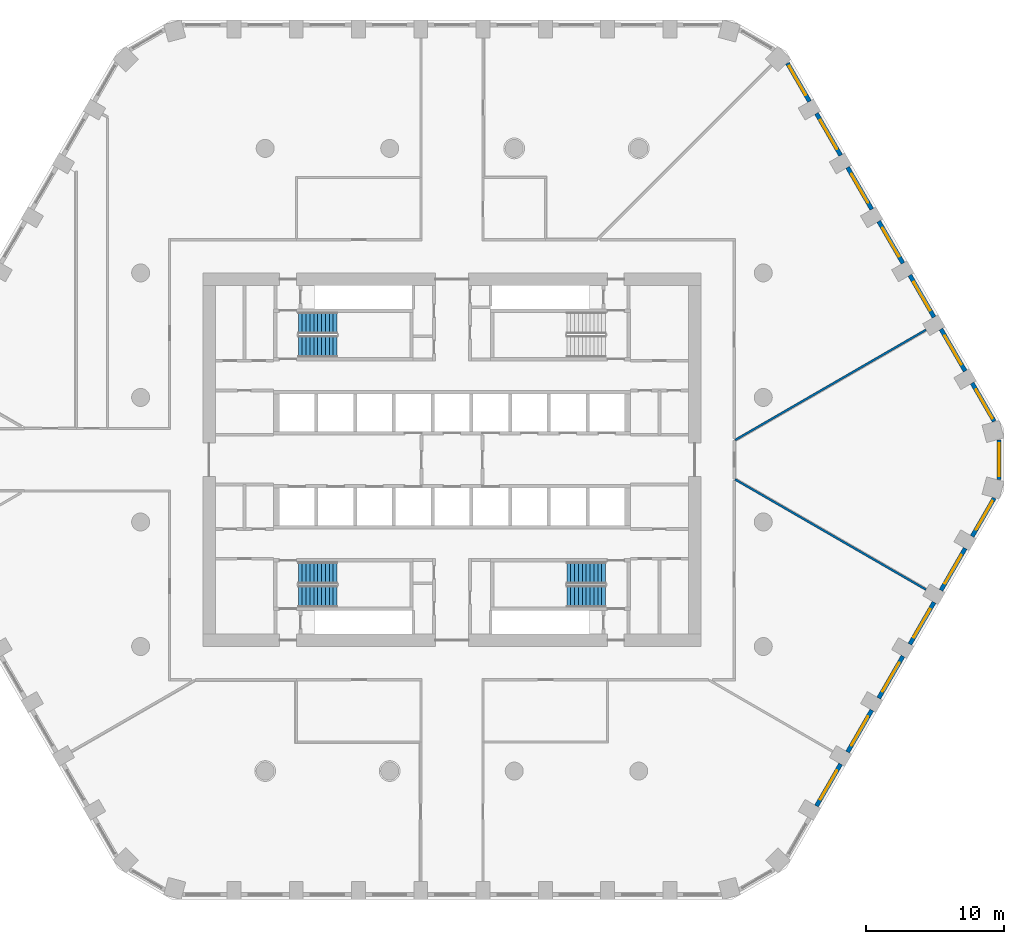
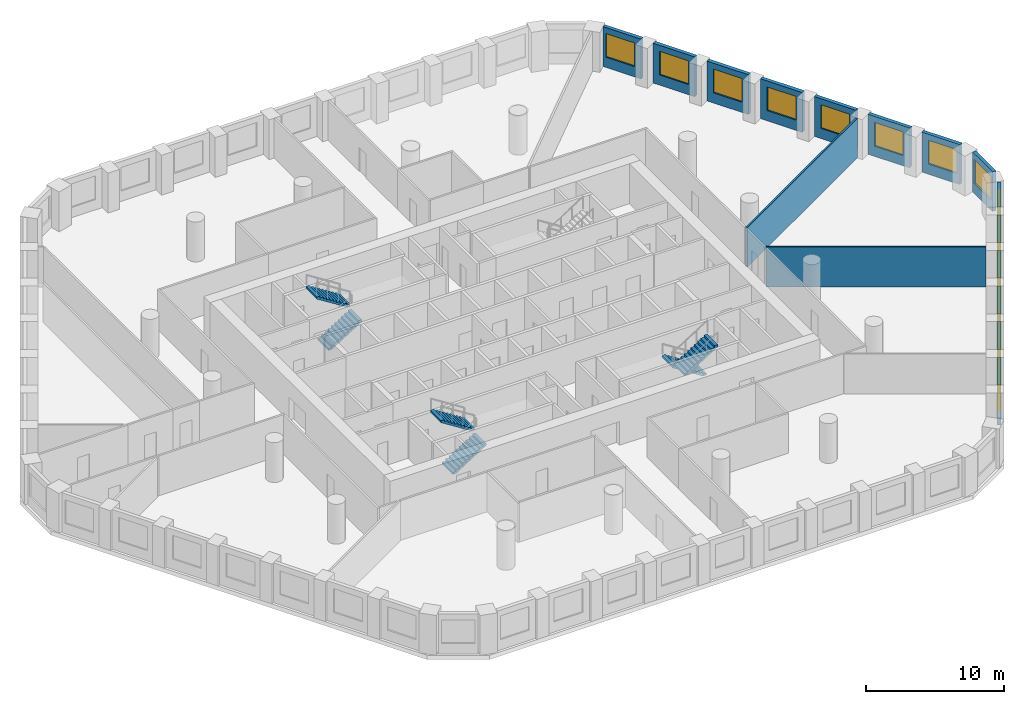
# One storey, part 8 of 14: 16 walls, 14 windows, 6 stair flights, 14 openings, 3 elements without a shape of their own.
"""IFC4 building model written with IfcOpenShell, lengths in metres."""

from ifc_helpers import new_model, si_unit, direction, frame, frame_2d, origin, place, context, subcontext, project, spatial, polyline, rectangle, outline, extrude, material, layer, layer_set, type_object, element, fill, aggregate, save


model = new_model("IFC4")

# Units and contexts
model_context = context("Model", 3, precision=1e-05, world=origin(), true_north=direction((0.0, 1.0)))
body_context = subcontext(model_context, "Body", "Model", "MODEL_VIEW")
ifc_project = project(units=[si_unit("LENGTHUNIT", "METRE"), si_unit("AREAUNIT", "SQUARE_METRE"), si_unit("VOLUMEUNIT", "CUBIC_METRE"), si_unit("PLANEANGLEUNIT", "RADIAN"), si_unit("MASSUNIT", "GRAM", prefix="KILO")], contexts=[model_context])

# Site, building, storey
site_placement = place(None, origin())
site = spatial("IfcSite", under=ifc_project, at=site_placement, CompositionType="ELEMENT")
building_placement = place(site_placement, origin())
building = spatial("IfcBuilding", under=site, at=building_placement, Name="Dhurran Vertical Campus", CompositionType="ELEMENT")
storey_placement = place(building_placement, frame((0.0, 0.0, 93.0)))
storey = spatial("IfcBuildingStorey", under=building, at=storey_placement, Name="L22", CompositionType="ELEMENT", Elevation=93.0)

# Wall, opening, window
ifc_material_1 = material(Name="Precast concrete C50/60", Category="concrete")
ifc_layer_1 = layer(ifc_material_1, 0.300048828125)
ifc_layer_set_1 = layer_set([ifc_layer_1], Name="Precast concrete C50/60")
wall_type_1 = type_object("IfcWallType", Name="Precast spandrel wall 300", PredefinedType="SOLIDWALL", material=ifc_layer_set_1)
wall_1_placement = place(storey_placement, frame((26.34423828125, -25.024169921875, 0.0), z_axis=(0.0, 0.0, 1.0), x_axis=(0.499996256241, 0.866027565234, 0.0)))
wall_1 = element("IfcWall", 1, at=wall_1_placement, inside=storey, type_object=wall_type_1, Name="EW1 L22.11", PredefinedType="SOLIDWALL", context=body_context, shape_type="SweptSolid", body=[
    extrude(rectangle(XDim=3.4990234375, YDim=0.300048828125, at=frame_2d((1.74951171875, 0.0))), origin(), (0.0, 0.0, 1.0), 3.52490234375),
])
opening_1_placement = place(wall_1_placement, frame((0.549560546875, 0.0, 0.89990234375)))
opening_1 = element("IfcOpeningElement", 2, at=opening_1_placement, cuts=wall_1, Name="Opening WT1", PredefinedType="OPENING", context=body_context, shape_type="SweptSolid", body=[
    extrude(rectangle(XDim=2.39990234375, YDim=2.10009765625, at=frame_2d((1.199951171875, 1.050048828125))), frame((0.0, 0.159912109375, 0.0), z_axis=(0.0, -1.0, 0.0), x_axis=(1.0, 0.0, 0.0)), (0.0, 0.0, 1.0), 0.320068359375),
])
ifc_material_2 = material(Name="Aluminium frame with solar-control glass", Category="aluminium")
window_type = type_object("IfcWindowType", Name="Punched window 2400 x 2100", PartitioningType="SINGLE_PANEL", PredefinedType="WINDOW", material=ifc_material_2)
window_1_placement = place(opening_1_placement, origin())
window_1 = element("IfcWindow", 3, at=window_1_placement, inside=storey, type_object=window_type, Name="WT1 L22.11", OverallHeight=2.10009765625, OverallWidth=2.39990234375, PartitioningType="SINGLE_PANEL", PredefinedType="WINDOW", context=body_context, shape_type="SweptSolid", body=[
    extrude(rectangle(XDim=2.39990234375, YDim=2.10009765625, at=frame_2d((1.199951171875, 1.050048828125))), frame((0.0, 0.030029296875, 0.0), z_axis=(0.0, -1.0, 0.0), x_axis=(1.0, 0.0, 0.0)), (0.0, 0.0, 1.0), 0.06005859375),
])
fill(opening_1, window_1)

wall_2_placement = place(storey_placement, frame((28.59423828125, -21.127197265625, 0.0), z_axis=(0.0, 0.0, 1.0), x_axis=(0.499996256241, 0.866027565234, 0.0)))
wall_2 = element("IfcWall", 4, at=wall_2_placement, inside=storey, type_object=wall_type_1, Name="EW1 L22.12", PredefinedType="SOLIDWALL", context=body_context, shape_type="SweptSolid", body=[
    extrude(rectangle(XDim=3.4990234375, YDim=0.300048828125, at=frame_2d((1.74951171875, 0.0))), origin(), (0.0, 0.0, 1.0), 3.52490234375),
])
opening_2_placement = place(wall_2_placement, frame((0.549560546875, 0.0, 0.89990234375)))
opening_2 = element("IfcOpeningElement", 5, at=opening_2_placement, cuts=wall_2, Name="Opening WT1", PredefinedType="OPENING", context=body_context, shape_type="SweptSolid", body=[
    extrude(rectangle(XDim=2.39990234375, YDim=2.10009765625, at=frame_2d((1.199951171875, 1.050048828125))), frame((0.0, 0.159912109375, 0.0), z_axis=(0.0, -1.0, 0.0), x_axis=(1.0, 0.0, 0.0)), (0.0, 0.0, 1.0), 0.320068359375),
])
window_2_placement = place(opening_2_placement, origin())
window_2 = element("IfcWindow", 6, at=window_2_placement, inside=storey, type_object=window_type, Name="WT1 L22.12", OverallHeight=2.10009765625, OverallWidth=2.39990234375, PartitioningType="SINGLE_PANEL", PredefinedType="WINDOW", context=body_context, shape_type="SweptSolid", body=[
    extrude(rectangle(XDim=2.39990234375, YDim=2.10009765625, at=frame_2d((1.199951171875, 1.050048828125))), frame((0.0, 0.030029296875, 0.0), z_axis=(0.0, -1.0, 0.0), x_axis=(1.0, 0.0, 0.0)), (0.0, 0.0, 1.0), 0.06005859375),
])
fill(opening_2, window_2)

wall_3_placement = place(storey_placement, frame((30.84423828125, -17.22998046875, 0.0), z_axis=(0.0, 0.0, 1.0), x_axis=(0.499996256241, 0.866027565234, 0.0)))
wall_3 = element("IfcWall", 7, at=wall_3_placement, inside=storey, type_object=wall_type_1, Name="EW1 L22.13", PredefinedType="SOLIDWALL", context=body_context, shape_type="SweptSolid", body=[
    extrude(rectangle(XDim=3.4990234375, YDim=0.300048828125, at=frame_2d((1.74951171875, 0.0))), origin(), (0.0, 0.0, 1.0), 3.52490234375),
])
opening_3_placement = place(wall_3_placement, frame((0.549560546875, 0.0, 0.89990234375)))
opening_3 = element("IfcOpeningElement", 8, at=opening_3_placement, cuts=wall_3, Name="Opening WT1", PredefinedType="OPENING", context=body_context, shape_type="SweptSolid", body=[
    extrude(rectangle(XDim=2.39990234375, YDim=2.10009765625, at=frame_2d((1.199951171875, 1.050048828125))), frame((0.0, 0.159912109375, 0.0), z_axis=(0.0, -1.0, 0.0), x_axis=(1.0, 0.0, 0.0)), (0.0, 0.0, 1.0), 0.320068359375),
])
window_3_placement = place(opening_3_placement, origin())
window_3 = element("IfcWindow", 9, at=window_3_placement, inside=storey, type_object=window_type, Name="WT1 L22.13", OverallHeight=2.10009765625, OverallWidth=2.39990234375, PartitioningType="SINGLE_PANEL", PredefinedType="WINDOW", context=body_context, shape_type="SweptSolid", body=[
    extrude(rectangle(XDim=2.39990234375, YDim=2.10009765625, at=frame_2d((1.199951171875, 1.050048828125))), frame((0.0, 0.030029296875, 0.0), z_axis=(0.0, -1.0, 0.0), x_axis=(1.0, 0.0, 0.0)), (0.0, 0.0, 1.0), 0.06005859375),
])
fill(opening_3, window_3)

wall_4_placement = place(storey_placement, frame((33.09423828125, -13.3330078125, 0.0), z_axis=(0.0, 0.0, 1.0), x_axis=(0.499996256241, 0.866027565234, 0.0)))
wall_4 = element("IfcWall", 10, at=wall_4_placement, inside=storey, type_object=wall_type_1, Name="EW1 L22.14", PredefinedType="SOLIDWALL", context=body_context, shape_type="SweptSolid", body=[
    extrude(rectangle(XDim=3.4990234375, YDim=0.300048828125, at=frame_2d((1.74951171875, 0.0))), origin(), (0.0, 0.0, 1.0), 3.52490234375),
])
opening_4_placement = place(wall_4_placement, frame((0.549560546875, 0.0, 0.89990234375)))
opening_4 = element("IfcOpeningElement", 11, at=opening_4_placement, cuts=wall_4, Name="Opening WT1", PredefinedType="OPENING", context=body_context, shape_type="SweptSolid", body=[
    extrude(rectangle(XDim=2.39990234375, YDim=2.10009765625, at=frame_2d((1.199951171875, 1.050048828125))), frame((0.0, 0.159912109375, 0.0), z_axis=(0.0, -1.0, 0.0), x_axis=(1.0, 0.0, 0.0)), (0.0, 0.0, 1.0), 0.320068359375),
])
window_4_placement = place(opening_4_placement, origin())
window_4 = element("IfcWindow", 12, at=window_4_placement, inside=storey, type_object=window_type, Name="WT1 L22.14", OverallHeight=2.10009765625, OverallWidth=2.39990234375, PartitioningType="SINGLE_PANEL", PredefinedType="WINDOW", context=body_context, shape_type="SweptSolid", body=[
    extrude(rectangle(XDim=2.39990234375, YDim=2.10009765625, at=frame_2d((1.199951171875, 1.050048828125))), frame((0.0, 0.030029296875, 0.0), z_axis=(0.0, -1.0, 0.0), x_axis=(1.0, 0.0, 0.0)), (0.0, 0.0, 1.0), 0.06005859375),
])
fill(opening_4, window_4)

wall_5_placement = place(storey_placement, frame((35.34423828125, -9.435791015625, 0.0), z_axis=(0.0, 0.0, 1.0), x_axis=(0.499996256241, 0.866027565234, 0.0)))
wall_5 = element("IfcWall", 13, at=wall_5_placement, inside=storey, type_object=wall_type_1, Name="EW1 L22.15", PredefinedType="SOLIDWALL", context=body_context, shape_type="SweptSolid", body=[
    extrude(rectangle(XDim=3.4990234375, YDim=0.300048828125, at=frame_2d((1.74951171875, 0.0))), origin(), (0.0, 0.0, 1.0), 3.52490234375),
])
opening_5_placement = place(wall_5_placement, frame((0.549560546875, 0.0, 0.89990234375)))
opening_5 = element("IfcOpeningElement", 14, at=opening_5_placement, cuts=wall_5, Name="Opening WT1", PredefinedType="OPENING", context=body_context, shape_type="SweptSolid", body=[
    extrude(rectangle(XDim=2.39990234375, YDim=2.10009765625, at=frame_2d((1.199951171875, 1.050048828125))), frame((0.0, 0.159912109375, 0.0), z_axis=(0.0, -1.0, 0.0), x_axis=(1.0, 0.0, 0.0)), (0.0, 0.0, 1.0), 0.320068359375),
])
window_5_placement = place(opening_5_placement, origin())
window_5 = element("IfcWindow", 15, at=window_5_placement, inside=storey, type_object=window_type, Name="WT1 L22.15", OverallHeight=2.10009765625, OverallWidth=2.39990234375, PartitioningType="SINGLE_PANEL", PredefinedType="WINDOW", context=body_context, shape_type="SweptSolid", body=[
    extrude(rectangle(XDim=2.39990234375, YDim=2.10009765625, at=frame_2d((1.199951171875, 1.050048828125))), frame((0.0, 0.030029296875, 0.0), z_axis=(0.0, -1.0, 0.0), x_axis=(1.0, 0.0, 0.0)), (0.0, 0.0, 1.0), 0.06005859375),
])
fill(opening_5, window_5)

wall_6_placement = place(storey_placement, frame((37.59423828125, -5.538818359375, 0.0), z_axis=(0.0, 0.0, 1.0), x_axis=(0.500004907028, 0.866022570692, 0.0)))
wall_6 = element("IfcWall", 16, at=wall_6_placement, inside=storey, type_object=wall_type_1, Name="EW1 L22.16", PredefinedType="SOLIDWALL", context=body_context, shape_type="SweptSolid", body=[
    extrude(rectangle(XDim=3.1923828125, YDim=0.300048828125, at=frame_2d((1.59619140625, 0.0))), origin(), (0.0, 0.0, 1.0), 3.52490234375),
])
opening_6_placement = place(wall_6_placement, frame((0.549560546875, 0.0, 0.89990234375)))
opening_6 = element("IfcOpeningElement", 17, at=opening_6_placement, cuts=wall_6, Name="Opening WT1", PredefinedType="OPENING", context=body_context, shape_type="SweptSolid", body=[
    extrude(rectangle(XDim=2.39990234375, YDim=2.10009765625, at=frame_2d((1.199951171875, 1.050048828125))), frame((0.0, 0.159912109375, 0.0), z_axis=(0.0, -1.0, 0.0), x_axis=(1.0, 0.0, 0.0)), (0.0, 0.0, 1.0), 0.320068359375),
])
window_6_placement = place(opening_6_placement, origin())
window_6 = element("IfcWindow", 18, at=window_6_placement, inside=storey, type_object=window_type, Name="WT1 L22.16", OverallHeight=2.10009765625, OverallWidth=2.39990234375, PartitioningType="SINGLE_PANEL", PredefinedType="WINDOW", context=body_context, shape_type="SweptSolid", body=[
    extrude(rectangle(XDim=2.39990234375, YDim=2.10009765625, at=frame_2d((1.199951171875, 1.050048828125))), frame((0.0, 0.030029296875, 0.0), z_axis=(0.0, -1.0, 0.0), x_axis=(1.0, 0.0, 0.0)), (0.0, 0.0, 1.0), 0.06005859375),
])
fill(opening_6, window_6)

wall_7_placement = place(storey_placement, frame((39.547119140625, -1.44287109375, 0.0), z_axis=(0.0, 0.0, 1.0), x_axis=(0.0, 1.0, 0.0)))
wall_7 = element("IfcWall", 19, at=wall_7_placement, inside=storey, type_object=wall_type_1, Name="EW1 L22.17", PredefinedType="SOLIDWALL", context=body_context, shape_type="SweptSolid", body=[
    extrude(rectangle(XDim=2.8857421875, YDim=0.300048828125, at=frame_2d((1.44287109375, 0.0))), origin(), (0.0, 0.0, 1.0), 3.52490234375),
])
opening_7_placement = place(wall_7_placement, frame((0.242919921875, 0.0, 0.89990234375)))
opening_7 = element("IfcOpeningElement", 20, at=opening_7_placement, cuts=wall_7, Name="Opening WT1", PredefinedType="OPENING", context=body_context, shape_type="SweptSolid", body=[
    extrude(rectangle(XDim=2.39990234375, YDim=2.10009765625, at=frame_2d((1.199951171875, 1.050048828125))), frame((0.0, 0.159912109375, 0.0), z_axis=(0.0, -1.0, 0.0), x_axis=(1.0, 0.0, 0.0)), (0.0, 0.0, 1.0), 0.320068359375),
])
window_7_placement = place(opening_7_placement, origin())
window_7 = element("IfcWindow", 21, at=window_7_placement, inside=storey, type_object=window_type, Name="WT1 L22.17", OverallHeight=2.10009765625, OverallWidth=2.39990234375, PartitioningType="SINGLE_PANEL", PredefinedType="WINDOW", context=body_context, shape_type="SweptSolid", body=[
    extrude(rectangle(XDim=2.39990234375, YDim=2.10009765625, at=frame_2d((1.199951171875, 1.050048828125))), frame((0.0, 0.030029296875, 0.0), z_axis=(0.0, -1.0, 0.0), x_axis=(1.0, 0.0, 0.0)), (0.0, 0.0, 1.0), 0.06005859375),
])
fill(opening_7, window_7)

wall_8_placement = place(storey_placement, frame((39.1904296875, 2.774169921875, 0.0), z_axis=(0.0, 0.0, 1.0), x_axis=(-0.500004907028, 0.866022570692, 0.0)))
wall_8 = element("IfcWall", 22, at=wall_8_placement, inside=storey, type_object=wall_type_1, Name="EW1 L22.18", PredefinedType="SOLIDWALL", context=body_context, shape_type="SweptSolid", body=[
    extrude(rectangle(XDim=3.1923828125, YDim=0.300048828125, at=frame_2d((1.59619140625, 0.0))), origin(), (0.0, 0.0, 1.0), 3.52490234375),
])
opening_8_placement = place(wall_8_placement, frame((0.242919921875, 0.0, 0.89990234375)))
opening_8 = element("IfcOpeningElement", 23, at=opening_8_placement, cuts=wall_8, Name="Opening WT1", PredefinedType="OPENING", context=body_context, shape_type="SweptSolid", body=[
    extrude(rectangle(XDim=2.39990234375, YDim=2.10009765625, at=frame_2d((1.199951171875, 1.050048828125))), frame((0.0, 0.159912109375, 0.0), z_axis=(0.0, -1.0, 0.0), x_axis=(1.0, 0.0, 0.0)), (0.0, 0.0, 1.0), 0.320068359375),
])
window_8_placement = place(opening_8_placement, origin())
window_8 = element("IfcWindow", 24, at=window_8_placement, inside=storey, type_object=window_type, Name="WT1 L22.18", OverallHeight=2.10009765625, OverallWidth=2.39990234375, PartitioningType="SINGLE_PANEL", PredefinedType="WINDOW", context=body_context, shape_type="SweptSolid", body=[
    extrude(rectangle(XDim=2.39990234375, YDim=2.10009765625, at=frame_2d((1.199951171875, 1.050048828125))), frame((0.0, 0.030029296875, 0.0), z_axis=(0.0, -1.0, 0.0), x_axis=(1.0, 0.0, 0.0)), (0.0, 0.0, 1.0), 0.06005859375),
])
fill(opening_8, window_8)

wall_9_placement = place(storey_placement, frame((37.09375, 6.405517578125, 0.0), z_axis=(0.0, 0.0, 1.0), x_axis=(-0.499996256241, 0.866027565234, 0.0)))
wall_9 = element("IfcWall", 25, at=wall_9_placement, inside=storey, type_object=wall_type_1, Name="EW1 L22.19", PredefinedType="SOLIDWALL", context=body_context, shape_type="SweptSolid", body=[
    extrude(rectangle(XDim=3.4990234375, YDim=0.300048828125, at=frame_2d((1.74951171875, 0.0))), origin(), (0.0, 0.0, 1.0), 3.52490234375),
])
opening_9_placement = place(wall_9_placement, frame((0.549560546875, 0.0, 0.89990234375)))
opening_9 = element("IfcOpeningElement", 26, at=opening_9_placement, cuts=wall_9, Name="Opening WT1", PredefinedType="OPENING", context=body_context, shape_type="SweptSolid", body=[
    extrude(rectangle(XDim=2.39990234375, YDim=2.10009765625, at=frame_2d((1.199951171875, 1.050048828125))), frame((0.0, 0.159912109375, 0.0), z_axis=(0.0, -1.0, 0.0), x_axis=(1.0, 0.0, 0.0)), (0.0, 0.0, 1.0), 0.320068359375),
])
window_9_placement = place(opening_9_placement, origin())
window_9 = element("IfcWindow", 27, at=window_9_placement, inside=storey, type_object=window_type, Name="WT1 L22.19", OverallHeight=2.10009765625, OverallWidth=2.39990234375, PartitioningType="SINGLE_PANEL", PredefinedType="WINDOW", context=body_context, shape_type="SweptSolid", body=[
    extrude(rectangle(XDim=2.39990234375, YDim=2.10009765625, at=frame_2d((1.199951171875, 1.050048828125))), frame((0.0, 0.030029296875, 0.0), z_axis=(0.0, -1.0, 0.0), x_axis=(1.0, 0.0, 0.0)), (0.0, 0.0, 1.0), 0.06005859375),
])
fill(opening_9, window_9)

wall_10_placement = place(storey_placement, frame((34.84375, 10.302734375, 0.0), z_axis=(0.0, 0.0, 1.0), x_axis=(-0.499996256241, 0.866027565234, 0.0)))
wall_10 = element("IfcWall", 28, at=wall_10_placement, inside=storey, type_object=wall_type_1, Name="EW1 L22.20", PredefinedType="SOLIDWALL", context=body_context, shape_type="SweptSolid", body=[
    extrude(rectangle(XDim=3.4990234375, YDim=0.300048828125, at=frame_2d((1.74951171875, 0.0))), origin(), (0.0, 0.0, 1.0), 3.52490234375),
])
opening_10_placement = place(wall_10_placement, frame((0.549560546875, 0.0, 0.89990234375)))
opening_10 = element("IfcOpeningElement", 29, at=opening_10_placement, cuts=wall_10, Name="Opening WT1", PredefinedType="OPENING", context=body_context, shape_type="SweptSolid", body=[
    extrude(rectangle(XDim=2.39990234375, YDim=2.10009765625, at=frame_2d((1.199951171875, 1.050048828125))), frame((0.0, 0.159912109375, 0.0), z_axis=(0.0, -1.0, 0.0), x_axis=(1.0, 0.0, 0.0)), (0.0, 0.0, 1.0), 0.320068359375),
])
window_10_placement = place(opening_10_placement, origin())
window_10 = element("IfcWindow", 30, at=window_10_placement, inside=storey, type_object=window_type, Name="WT1 L22.20", OverallHeight=2.10009765625, OverallWidth=2.39990234375, PartitioningType="SINGLE_PANEL", PredefinedType="WINDOW", context=body_context, shape_type="SweptSolid", body=[
    extrude(rectangle(XDim=2.39990234375, YDim=2.10009765625, at=frame_2d((1.199951171875, 1.050048828125))), frame((0.0, 0.030029296875, 0.0), z_axis=(0.0, -1.0, 0.0), x_axis=(1.0, 0.0, 0.0)), (0.0, 0.0, 1.0), 0.06005859375),
])
fill(opening_10, window_10)

wall_11_placement = place(storey_placement, frame((32.59375, 14.19970703125, 0.0), z_axis=(0.0, 0.0, 1.0), x_axis=(-0.499996256241, 0.866027565234, 0.0)))
wall_11 = element("IfcWall", 31, at=wall_11_placement, inside=storey, type_object=wall_type_1, Name="EW1 L22.21", PredefinedType="SOLIDWALL", context=body_context, shape_type="SweptSolid", body=[
    extrude(rectangle(XDim=3.4990234375, YDim=0.300048828125, at=frame_2d((1.74951171875, 0.0))), origin(), (0.0, 0.0, 1.0), 3.52490234375),
])
opening_11_placement = place(wall_11_placement, frame((0.549560546875, 0.0, 0.89990234375)))
opening_11 = element("IfcOpeningElement", 32, at=opening_11_placement, cuts=wall_11, Name="Opening WT1", PredefinedType="OPENING", context=body_context, shape_type="SweptSolid", body=[
    extrude(rectangle(XDim=2.39990234375, YDim=2.10009765625, at=frame_2d((1.199951171875, 1.050048828125))), frame((0.0, 0.159912109375, 0.0), z_axis=(0.0, -1.0, 0.0), x_axis=(1.0, 0.0, 0.0)), (0.0, 0.0, 1.0), 0.320068359375),
])
window_11_placement = place(opening_11_placement, origin())
window_11 = element("IfcWindow", 33, at=window_11_placement, inside=storey, type_object=window_type, Name="WT1 L22.21", OverallHeight=2.10009765625, OverallWidth=2.39990234375, PartitioningType="SINGLE_PANEL", PredefinedType="WINDOW", context=body_context, shape_type="SweptSolid", body=[
    extrude(rectangle(XDim=2.39990234375, YDim=2.10009765625, at=frame_2d((1.199951171875, 1.050048828125))), frame((0.0, 0.030029296875, 0.0), z_axis=(0.0, -1.0, 0.0), x_axis=(1.0, 0.0, 0.0)), (0.0, 0.0, 1.0), 0.06005859375),
])
fill(opening_11, window_11)

wall_12_placement = place(storey_placement, frame((30.34375, 18.096923828125, 0.0), z_axis=(0.0, 0.0, 1.0), x_axis=(-0.499996256241, 0.866027565234, 0.0)))
wall_12 = element("IfcWall", 34, at=wall_12_placement, inside=storey, type_object=wall_type_1, Name="EW1 L22.22", PredefinedType="SOLIDWALL", context=body_context, shape_type="SweptSolid", body=[
    extrude(rectangle(XDim=3.4990234375, YDim=0.300048828125, at=frame_2d((1.74951171875, 0.0))), origin(), (0.0, 0.0, 1.0), 3.52490234375),
])
opening_12_placement = place(wall_12_placement, frame((0.549560546875, 0.0, 0.89990234375)))
opening_12 = element("IfcOpeningElement", 35, at=opening_12_placement, cuts=wall_12, Name="Opening WT1", PredefinedType="OPENING", context=body_context, shape_type="SweptSolid", body=[
    extrude(rectangle(XDim=2.39990234375, YDim=2.10009765625, at=frame_2d((1.199951171875, 1.050048828125))), frame((0.0, 0.159912109375, 0.0), z_axis=(0.0, -1.0, 0.0), x_axis=(1.0, 0.0, 0.0)), (0.0, 0.0, 1.0), 0.320068359375),
])
window_12_placement = place(opening_12_placement, origin())
window_12 = element("IfcWindow", 36, at=window_12_placement, inside=storey, type_object=window_type, Name="WT1 L22.22", OverallHeight=2.10009765625, OverallWidth=2.39990234375, PartitioningType="SINGLE_PANEL", PredefinedType="WINDOW", context=body_context, shape_type="SweptSolid", body=[
    extrude(rectangle(XDim=2.39990234375, YDim=2.10009765625, at=frame_2d((1.199951171875, 1.050048828125))), frame((0.0, 0.030029296875, 0.0), z_axis=(0.0, -1.0, 0.0), x_axis=(1.0, 0.0, 0.0)), (0.0, 0.0, 1.0), 0.06005859375),
])
fill(opening_12, window_12)

wall_13_placement = place(storey_placement, frame((28.09375, 21.993896484375, 0.0), z_axis=(0.0, 0.0, 1.0), x_axis=(-0.499996256241, 0.866027565234, 0.0)))
wall_13 = element("IfcWall", 37, at=wall_13_placement, inside=storey, type_object=wall_type_1, Name="EW1 L22.23", PredefinedType="SOLIDWALL", context=body_context, shape_type="SweptSolid", body=[
    extrude(rectangle(XDim=3.4990234375, YDim=0.300048828125, at=frame_2d((1.74951171875, 0.0))), origin(), (0.0, 0.0, 1.0), 3.52490234375),
])
opening_13_placement = place(wall_13_placement, frame((0.549560546875, 0.0, 0.89990234375)))
opening_13 = element("IfcOpeningElement", 38, at=opening_13_placement, cuts=wall_13, Name="Opening WT1", PredefinedType="OPENING", context=body_context, shape_type="SweptSolid", body=[
    extrude(rectangle(XDim=2.39990234375, YDim=2.10009765625, at=frame_2d((1.199951171875, 1.050048828125))), frame((0.0, 0.159912109375, 0.0), z_axis=(0.0, -1.0, 0.0), x_axis=(1.0, 0.0, 0.0)), (0.0, 0.0, 1.0), 0.320068359375),
])
window_13_placement = place(opening_13_placement, origin())
window_13 = element("IfcWindow", 39, at=window_13_placement, inside=storey, type_object=window_type, Name="WT1 L22.23", OverallHeight=2.10009765625, OverallWidth=2.39990234375, PartitioningType="SINGLE_PANEL", PredefinedType="WINDOW", context=body_context, shape_type="SweptSolid", body=[
    extrude(rectangle(XDim=2.39990234375, YDim=2.10009765625, at=frame_2d((1.199951171875, 1.050048828125))), frame((0.0, 0.030029296875, 0.0), z_axis=(0.0, -1.0, 0.0), x_axis=(1.0, 0.0, 0.0)), (0.0, 0.0, 1.0), 0.06005859375),
])
fill(opening_13, window_13)

wall_14_placement = place(storey_placement, frame((25.84375, 25.89111328125, 0.0), z_axis=(0.0, 0.0, 1.0), x_axis=(-0.500004907028, 0.866022570692, 0.0)))
wall_14 = element("IfcWall", 40, at=wall_14_placement, inside=storey, type_object=wall_type_1, Name="EW1 L22.24", PredefinedType="SOLIDWALL", context=body_context, shape_type="SweptSolid", body=[
    extrude(rectangle(XDim=3.1923828125, YDim=0.300048828125, at=frame_2d((1.59619140625, 0.0))), origin(), (0.0, 0.0, 1.0), 3.52490234375),
])
opening_14_placement = place(wall_14_placement, frame((0.549560546875, 0.0, 0.89990234375)))
opening_14 = element("IfcOpeningElement", 41, at=opening_14_placement, cuts=wall_14, Name="Opening WT1", PredefinedType="OPENING", context=body_context, shape_type="SweptSolid", body=[
    extrude(rectangle(XDim=2.39990234375, YDim=2.10009765625, at=frame_2d((1.199951171875, 1.050048828125))), frame((0.0, 0.159912109375, 0.0), z_axis=(0.0, -1.0, 0.0), x_axis=(1.0, 0.0, 0.0)), (0.0, 0.0, 1.0), 0.320068359375),
])
window_14_placement = place(opening_14_placement, origin())
window_14 = element("IfcWindow", 42, at=window_14_placement, inside=storey, type_object=window_type, Name="WT1 L22.24", OverallHeight=2.10009765625, OverallWidth=2.39990234375, PartitioningType="SINGLE_PANEL", PredefinedType="WINDOW", context=body_context, shape_type="SweptSolid", body=[
    extrude(rectangle(XDim=2.39990234375, YDim=2.10009765625, at=frame_2d((1.199951171875, 1.050048828125))), frame((0.0, 0.030029296875, 0.0), z_axis=(0.0, -1.0, 0.0), x_axis=(1.0, 0.0, 0.0)), (0.0, 0.0, 1.0), 0.06005859375),
])
fill(opening_14, window_14)

# Walls
ifc_material_3 = material(Name="Gypsum board partition on steel studs", Category="steel")
ifc_layer_2 = layer(ifc_material_3, 0.14990234375)
ifc_layer_set_2 = layer_set([ifc_layer_2], Name="Gypsum board partition on steel studs")
wall_type_2 = type_object("IfcWallType", Name="fl-PW-150 fixed partition", PredefinedType="PARTITIONING", material=ifc_layer_set_2)
for number, where, z_axis, x_axis, name in (
    (43, (20.465087890625, -1.423583984375, 0.0), (0.0, 0.0, 1.0), (0.866033144593, -0.499986592286, 0.0), "Partition 22-46"),
    (44, (34.25390625, 9.38427734375, 0.0), (0.0, 0.0, 1.0), (-0.866033144593, -0.499986592286, 0.0), "Partition 22-48"),
):
    element("IfcWall", number, at=place(storey_placement, frame(where, z_axis=z_axis, x_axis=x_axis)), inside=storey, type_object=wall_type_2, Name=name, PredefinedType="PARTITIONING", context=body_context, shape_type="SweptSolid", body=[
        extrude(rectangle(XDim=15.921875, YDim=0.14990234375, at=frame_2d((7.9609375, 0.0))), origin(), (0.0, 0.0, 1.0), 3.52490234375),
    ])

# Stair, stair flights
ifc_material_4 = material(Name="Concrete C40/50", Category="concrete")
stair_type = type_object("IfcStairType", Name="co-ST-CORE", PredefinedType="HALF_TURN_STAIR", material=ifc_material_4)
stair_1_placement = place(storey_placement, origin())
stair_1 = element("IfcStair", 45, at=stair_1_placement, inside=storey, type_object=stair_type, Name="L22 Protected exit stair ST1", PredefinedType="HALF_TURN_STAIR")
ifc_material_5 = material(Name="Concrete C40/50", Category="concrete")
stair_flight_type = type_object("IfcStairFlightType", Name="co-SFL-RC", PredefinedType="STRAIGHT", material=ifc_material_5)
stair_flight_1_placement = place(storey_placement, frame((-11.10009765625, 8.175048828125, 0.0), z_axis=(0.0, 0.0, 1.0), x_axis=(1.0, 0.0, 0.0)))
stair_flight_1 = element("IfcStairFlight", 46, at=stair_flight_1_placement, type_object=stair_flight_type, Name="ST1 flight 1", NumberOfRisers=11, NumberOfTreads=10, PredefinedType="STRAIGHT", RiserHeight=0.177272727, TreadLength=0.28, context=body_context, shape_type="SweptSolid", body=[
    extrude(outline(polyline([(0.0, 0.0), (0.0, 0.17724609375), (0.280029296875, 0.17724609375), (0.280029296875, 0.3544921875), (0.56005859375, 0.3544921875), (0.56005859375, 0.53173828125), (0.840087890625, 0.53173828125), (0.840087890625, 0.708984375), (1.1201171875, 0.708984375), (1.1201171875, 0.886474609375), (1.39990234375, 0.886474609375), (1.39990234375, 1.063720703125), (1.679931640625, 1.063720703125), (1.679931640625, 1.240966796875), (1.9599609375, 1.240966796875), (1.9599609375, 1.418212890625), (2.239990234375, 1.418212890625), (2.239990234375, 1.595458984375), (2.52001953125, 1.595458984375), (2.52001953125, 1.772705078125), (2.800048828125, 1.772705078125), (2.800048828125, 1.949951171875), (2.800048828125, 1.59521484375), (0.2802734375, 0.0), (0.0, 0.0)])), frame((0.0, 0.77490234375, 0.0), z_axis=(0.0, -1.0, 0.0), x_axis=(1.0, 0.0, 0.0)), (0.0, 0.0, 1.0), 1.550048828125),
])
stair_flight_2_placement = place(storey_placement, frame((-8.300048828125, 9.875, 1.949951171875), z_axis=(0.0, 0.0, 1.0), x_axis=(-1.0, 0.0, 0.0)))
stair_flight_2 = element("IfcStairFlight", 47, at=stair_flight_2_placement, type_object=stair_flight_type, Name="ST1 flight 2", NumberOfRisers=11, NumberOfTreads=10, PredefinedType="STRAIGHT", RiserHeight=0.177272727, TreadLength=0.28, context=body_context, shape_type="SweptSolid", body=[
    extrude(outline(polyline([(0.0, 0.0), (0.0, 0.17724609375), (0.280029296875, 0.17724609375), (0.280029296875, 0.3544921875), (0.56005859375, 0.3544921875), (0.56005859375, 0.53173828125), (0.840087890625, 0.53173828125), (0.840087890625, 0.708984375), (1.1201171875, 0.708984375), (1.1201171875, 0.886474609375), (1.39990234375, 0.886474609375), (1.39990234375, 1.063720703125), (1.679931640625, 1.063720703125), (1.679931640625, 1.240966796875), (1.9599609375, 1.240966796875), (1.9599609375, 1.418212890625), (2.239990234375, 1.418212890625), (2.239990234375, 1.595458984375), (2.52001953125, 1.595458984375), (2.52001953125, 1.772705078125), (2.800048828125, 1.772705078125), (2.800048828125, 1.949951171875), (2.800048828125, 1.59521484375), (0.2802734375, 0.0), (0.0, 0.0)])), frame((0.0, 0.77490234375, 0.0), z_axis=(0.0, -1.0, 0.0), x_axis=(1.0, 0.0, 0.0)), (0.0, 0.0, 1.0), 1.550048828125),
])
aggregate(stair_1, [stair_flight_1, stair_flight_2])

stair_2_placement = place(storey_placement, origin())
stair_2 = element("IfcStair", 48, at=stair_2_placement, inside=storey, type_object=stair_type, Name="L22 Protected exit stair ST3", PredefinedType="HALF_TURN_STAIR")
stair_flight_3_placement = place(storey_placement, frame((-11.10009765625, -9.875, 0.0), z_axis=(0.0, 0.0, 1.0), x_axis=(1.0, 0.0, 0.0)))
stair_flight_3 = element("IfcStairFlight", 49, at=stair_flight_3_placement, type_object=stair_flight_type, Name="ST3 flight 1", NumberOfRisers=11, NumberOfTreads=10, PredefinedType="STRAIGHT", RiserHeight=0.177272727, TreadLength=0.28, context=body_context, shape_type="SweptSolid", body=[
    extrude(outline(polyline([(0.0, 0.0), (0.0, 0.17724609375), (0.280029296875, 0.17724609375), (0.280029296875, 0.3544921875), (0.56005859375, 0.3544921875), (0.56005859375, 0.53173828125), (0.840087890625, 0.53173828125), (0.840087890625, 0.708984375), (1.1201171875, 0.708984375), (1.1201171875, 0.886474609375), (1.39990234375, 0.886474609375), (1.39990234375, 1.063720703125), (1.679931640625, 1.063720703125), (1.679931640625, 1.240966796875), (1.9599609375, 1.240966796875), (1.9599609375, 1.418212890625), (2.239990234375, 1.418212890625), (2.239990234375, 1.595458984375), (2.52001953125, 1.595458984375), (2.52001953125, 1.772705078125), (2.800048828125, 1.772705078125), (2.800048828125, 1.949951171875), (2.800048828125, 1.59521484375), (0.2802734375, 0.0), (0.0, 0.0)])), frame((0.0, 0.77490234375, 0.0), z_axis=(0.0, -1.0, 0.0), x_axis=(1.0, 0.0, 0.0)), (0.0, 0.0, 1.0), 1.550048828125),
])
stair_flight_4_placement = place(storey_placement, frame((-8.300048828125, -8.175048828125, 1.949951171875), z_axis=(0.0, 0.0, 1.0), x_axis=(-1.0, 0.0, 0.0)))
stair_flight_4 = element("IfcStairFlight", 50, at=stair_flight_4_placement, type_object=stair_flight_type, Name="ST3 flight 2", NumberOfRisers=11, NumberOfTreads=10, PredefinedType="STRAIGHT", RiserHeight=0.177272727, TreadLength=0.28, context=body_context, shape_type="SweptSolid", body=[
    extrude(outline(polyline([(0.0, 0.0), (0.0, 0.17724609375), (0.280029296875, 0.17724609375), (0.280029296875, 0.3544921875), (0.56005859375, 0.3544921875), (0.56005859375, 0.53173828125), (0.840087890625, 0.53173828125), (0.840087890625, 0.708984375), (1.1201171875, 0.708984375), (1.1201171875, 0.886474609375), (1.39990234375, 0.886474609375), (1.39990234375, 1.063720703125), (1.679931640625, 1.063720703125), (1.679931640625, 1.240966796875), (1.9599609375, 1.240966796875), (1.9599609375, 1.418212890625), (2.239990234375, 1.418212890625), (2.239990234375, 1.595458984375), (2.52001953125, 1.595458984375), (2.52001953125, 1.772705078125), (2.800048828125, 1.772705078125), (2.800048828125, 1.949951171875), (2.800048828125, 1.59521484375), (0.2802734375, 0.0), (0.0, 0.0)])), frame((0.0, 0.77490234375, 0.0), z_axis=(0.0, -1.0, 0.0), x_axis=(1.0, 0.0, 0.0)), (0.0, 0.0, 1.0), 1.550048828125),
])
aggregate(stair_2, [stair_flight_3, stair_flight_4])

stair_3_placement = place(storey_placement, origin())
stair_3 = element("IfcStair", 51, at=stair_3_placement, inside=storey, type_object=stair_type, Name="L22 Protected exit stair ST4", PredefinedType="HALF_TURN_STAIR")
stair_flight_5_placement = place(storey_placement, frame((11.10009765625, -8.175048828125, 0.0), z_axis=(0.0, 0.0, 1.0), x_axis=(-1.0, 0.0, 0.0)))
stair_flight_5 = element("IfcStairFlight", 52, at=stair_flight_5_placement, type_object=stair_flight_type, Name="ST4 flight 1", NumberOfRisers=11, NumberOfTreads=10, PredefinedType="STRAIGHT", RiserHeight=0.177272727, TreadLength=0.28, context=body_context, shape_type="SweptSolid", body=[
    extrude(outline(polyline([(0.0, 0.0), (0.0, 0.17724609375), (0.280029296875, 0.17724609375), (0.280029296875, 0.3544921875), (0.56005859375, 0.3544921875), (0.56005859375, 0.53173828125), (0.840087890625, 0.53173828125), (0.840087890625, 0.708984375), (1.1201171875, 0.708984375), (1.1201171875, 0.886474609375), (1.39990234375, 0.886474609375), (1.39990234375, 1.063720703125), (1.679931640625, 1.063720703125), (1.679931640625, 1.240966796875), (1.9599609375, 1.240966796875), (1.9599609375, 1.418212890625), (2.239990234375, 1.418212890625), (2.239990234375, 1.595458984375), (2.52001953125, 1.595458984375), (2.52001953125, 1.772705078125), (2.800048828125, 1.772705078125), (2.800048828125, 1.949951171875), (2.800048828125, 1.59521484375), (0.2802734375, 0.0), (0.0, 0.0)])), frame((0.0, 0.77490234375, 0.0), z_axis=(0.0, -1.0, 0.0), x_axis=(1.0, 0.0, 0.0)), (0.0, 0.0, 1.0), 1.550048828125),
])
stair_flight_6_placement = place(storey_placement, frame((8.300048828125, -9.875, 1.949951171875), z_axis=(0.0, 0.0, 1.0), x_axis=(1.0, 0.0, 0.0)))
stair_flight_6 = element("IfcStairFlight", 53, at=stair_flight_6_placement, type_object=stair_flight_type, Name="ST4 flight 2", NumberOfRisers=11, NumberOfTreads=10, PredefinedType="STRAIGHT", RiserHeight=0.177272727, TreadLength=0.28, context=body_context, shape_type="SweptSolid", body=[
    extrude(outline(polyline([(0.0, 0.0), (0.0, 0.17724609375), (0.280029296875, 0.17724609375), (0.280029296875, 0.3544921875), (0.56005859375, 0.3544921875), (0.56005859375, 0.53173828125), (0.840087890625, 0.53173828125), (0.840087890625, 0.708984375), (1.1201171875, 0.708984375), (1.1201171875, 0.886474609375), (1.39990234375, 0.886474609375), (1.39990234375, 1.063720703125), (1.679931640625, 1.063720703125), (1.679931640625, 1.240966796875), (1.9599609375, 1.240966796875), (1.9599609375, 1.418212890625), (2.239990234375, 1.418212890625), (2.239990234375, 1.595458984375), (2.52001953125, 1.595458984375), (2.52001953125, 1.772705078125), (2.800048828125, 1.772705078125), (2.800048828125, 1.949951171875), (2.800048828125, 1.59521484375), (0.2802734375, 0.0), (0.0, 0.0)])), frame((0.0, 0.77490234375, 0.0), z_axis=(0.0, -1.0, 0.0), x_axis=(1.0, 0.0, 0.0)), (0.0, 0.0, 1.0), 1.550048828125),
])
aggregate(stair_3, [stair_flight_5, stair_flight_6])

save(model, "model.ifc")
